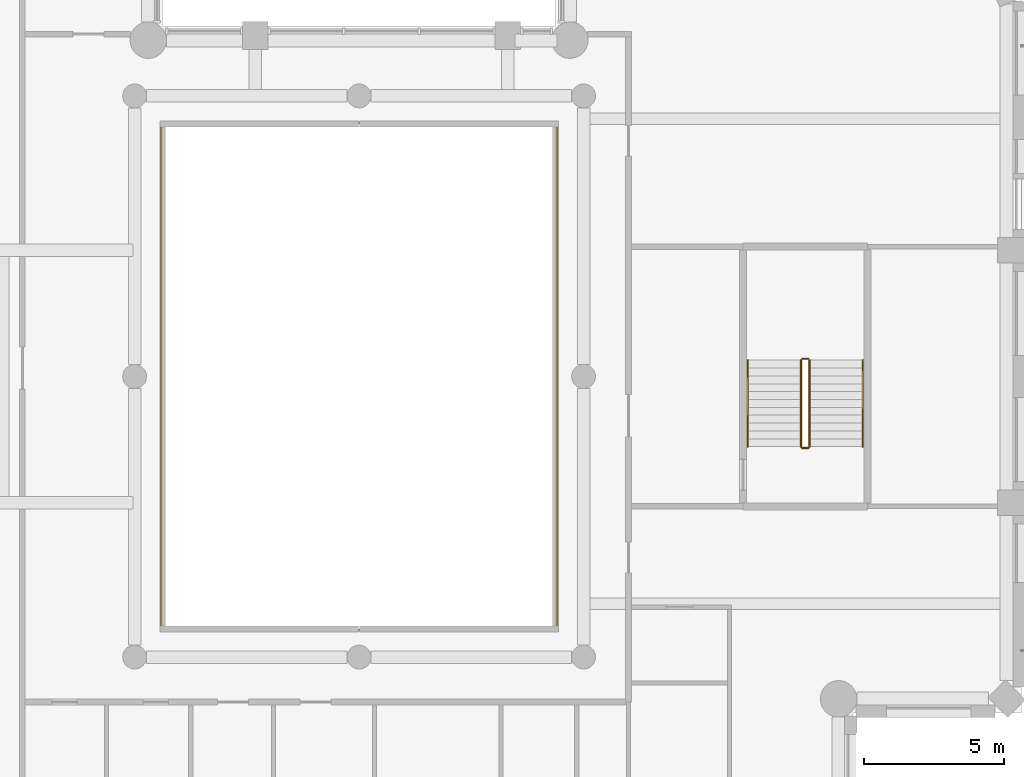
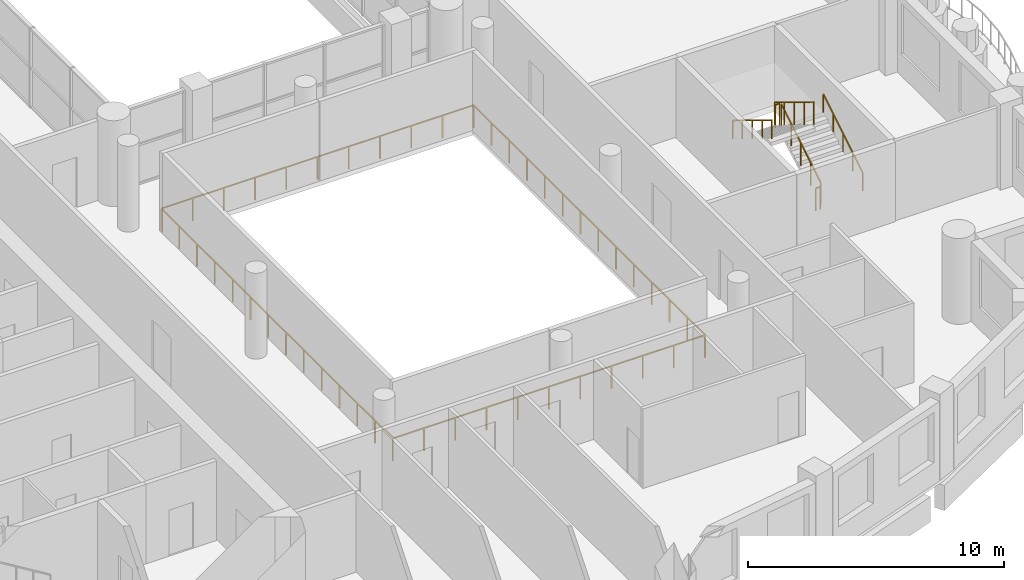
# One storey, part 11 of 14: 7 railings.
"""IFC4 building model written with IfcOpenShell, lengths in metres."""

from ifc_helpers import new_model, si_unit, direction, frame, origin, origin_2d, place, context, subcontext, project, spatial, rectangle, extrude, material, type_object, element, save


model = new_model("IFC4")

# Units and contexts
model_context = context("Model", 3, precision=1e-05, world=origin(), true_north=direction((0.0, 1.0)))
body_context = subcontext(model_context, "Body", "Model", "MODEL_VIEW")
ifc_project = project(units=[si_unit("LENGTHUNIT", "METRE"), si_unit("AREAUNIT", "SQUARE_METRE"), si_unit("VOLUMEUNIT", "CUBIC_METRE"), si_unit("PLANEANGLEUNIT", "RADIAN"), si_unit("MASSUNIT", "GRAM", prefix="KILO")], contexts=[model_context])

# Site, building, storey
site_placement = place(None, origin())
site = spatial("IfcSite", under=ifc_project, at=site_placement, CompositionType="ELEMENT")
building_placement = place(site_placement, origin())
building = spatial("IfcBuilding", under=site, at=building_placement, Name="Cypress Arch Tower", CompositionType="ELEMENT")
storey_placement = place(building_placement, frame((0.0, 0.0, 251.60009765625)))
storey = spatial("IfcBuildingStorey", under=building, at=storey_placement, Name="L56", CompositionType="ELEMENT", Elevation=251.60009765625)

# Railings
ifc_material_1 = material(Name="Stainless steel posts and handrail, laminated glass infill", Category="steel")
railing_type_1 = type_object("IfcRailingType", Name="Atrium guard GR1100A", PredefinedType="GUARDRAIL", material=ifc_material_1)
railing_1_placement = place(storey_placement, frame((8.050048828125, -9.050048828125, 0.0)))
element("IfcRailing", 1, at=railing_1_placement, inside=storey, type_object=railing_type_1, Name="Atrium guard L56", PredefinedType="GUARDRAIL", context=body_context, shape_type="SweptSolid", body=[
    extrude(rectangle(XDim=0.050048828125, YDim=0.050048828125, at=origin_2d()), frame((0.0, 0.0, 1.0751953125), z_axis=(-1.0, 0.0, 0.0), x_axis=(0.0, -1.0, 0.0)), (0.0, 0.0, 1.0), 14.10009765625),
    extrude(rectangle(XDim=0.050048828125, YDim=0.050048828125, at=origin_2d()), frame((-14.10009765625, 0.0, 1.0751953125), z_axis=(0.0, 1.0, 0.0), x_axis=(-1.0, 0.0, 0.0)), (0.0, 0.0, 1.0), 18.10009765625),
    extrude(rectangle(XDim=0.050048828125, YDim=0.050048828125, at=origin_2d()), frame((-14.10009765625, 18.10009765625, 1.0751953125), z_axis=(1.0, 0.0, 0.0), x_axis=(0.0, 1.0, 0.0)), (0.0, 0.0, 1.0), 14.10009765625),
    extrude(rectangle(XDim=0.050048828125, YDim=0.050048828125, at=origin_2d()), frame((0.0, 18.10009765625, 1.0751953125), z_axis=(0.0, -1.0, 0.0), x_axis=(1.0, 0.0, 0.0)), (0.0, 0.0, 1.0), 18.10009765625),
    extrude(rectangle(XDim=0.050048828125, YDim=0.050048828125, at=origin_2d()), origin(), (0.0, 0.0, 1.0), 1.050048828125),
    extrude(rectangle(XDim=0.050048828125, YDim=0.050048828125, at=origin_2d()), frame((-1.409912109375, 0.0, 0.0)), (0.0, 0.0, 1.0), 1.050048828125),
    extrude(rectangle(XDim=0.050048828125, YDim=0.050048828125, at=origin_2d()), frame((-2.820068359375, 0.0, 0.0)), (0.0, 0.0, 1.0), 1.050048828125),
    extrude(rectangle(XDim=0.050048828125, YDim=0.050048828125, at=origin_2d()), frame((-4.22998046875, 0.0, 0.0)), (0.0, 0.0, 1.0), 1.050048828125),
    extrude(rectangle(XDim=0.050048828125, YDim=0.050048828125, at=origin_2d()), frame((-5.64013671875, 0.0, 0.0)), (0.0, 0.0, 1.0), 1.050048828125),
    extrude(rectangle(XDim=0.050048828125, YDim=0.050048828125, at=origin_2d()), frame((-7.050048828125, 0.0, 0.0)), (0.0, 0.0, 1.0), 1.050048828125),
    extrude(rectangle(XDim=0.050048828125, YDim=0.050048828125, at=origin_2d()), frame((-8.4599609375, 0.0, 0.0)), (0.0, 0.0, 1.0), 1.050048828125),
    extrude(rectangle(XDim=0.050048828125, YDim=0.050048828125, at=origin_2d()), frame((-9.8701171875, 0.0, 0.0)), (0.0, 0.0, 1.0), 1.050048828125),
    extrude(rectangle(XDim=0.050048828125, YDim=0.050048828125, at=origin_2d()), frame((-11.280029296875, 0.0, 0.0)), (0.0, 0.0, 1.0), 1.050048828125),
    extrude(rectangle(XDim=0.050048828125, YDim=0.050048828125, at=origin_2d()), frame((-12.690185546875, 0.0, 0.0)), (0.0, 0.0, 1.0), 1.050048828125),
    extrude(rectangle(XDim=0.050048828125, YDim=0.050048828125, at=origin_2d()), frame((-14.10009765625, 0.0, 0.0)), (0.0, 0.0, 1.0), 1.050048828125),
    extrude(rectangle(XDim=0.050048828125, YDim=0.050048828125, at=origin_2d()), frame((-14.10009765625, 1.392333984375, 0.0)), (0.0, 0.0, 1.0), 1.050048828125),
    extrude(rectangle(XDim=0.050048828125, YDim=0.050048828125, at=origin_2d()), frame((-14.10009765625, 2.78466796875, 0.0)), (0.0, 0.0, 1.0), 1.050048828125),
    extrude(rectangle(XDim=0.050048828125, YDim=0.050048828125, at=origin_2d()), frame((-14.10009765625, 4.177001953125, 0.0)), (0.0, 0.0, 1.0), 1.050048828125),
    extrude(rectangle(XDim=0.050048828125, YDim=0.050048828125, at=origin_2d()), frame((-14.10009765625, 5.5693359375, 0.0)), (0.0, 0.0, 1.0), 1.050048828125),
    extrude(rectangle(XDim=0.050048828125, YDim=0.050048828125, at=origin_2d()), frame((-14.10009765625, 6.961669921875, 0.0)), (0.0, 0.0, 1.0), 1.050048828125),
    extrude(rectangle(XDim=0.050048828125, YDim=0.050048828125, at=origin_2d()), frame((-14.10009765625, 8.35400390625, 0.0)), (0.0, 0.0, 1.0), 1.050048828125),
    extrude(rectangle(XDim=0.050048828125, YDim=0.050048828125, at=origin_2d()), frame((-14.10009765625, 9.74609375, 0.0)), (0.0, 0.0, 1.0), 1.050048828125),
    extrude(rectangle(XDim=0.050048828125, YDim=0.050048828125, at=origin_2d()), frame((-14.10009765625, 11.138427734375, 0.0)), (0.0, 0.0, 1.0), 1.050048828125),
    extrude(rectangle(XDim=0.050048828125, YDim=0.050048828125, at=origin_2d()), frame((-14.10009765625, 12.53076171875, 0.0)), (0.0, 0.0, 1.0), 1.050048828125),
    extrude(rectangle(XDim=0.050048828125, YDim=0.050048828125, at=origin_2d()), frame((-14.10009765625, 13.923095703125, 0.0)), (0.0, 0.0, 1.0), 1.050048828125),
    extrude(rectangle(XDim=0.050048828125, YDim=0.050048828125, at=origin_2d()), frame((-14.10009765625, 15.3154296875, 0.0)), (0.0, 0.0, 1.0), 1.050048828125),
    extrude(rectangle(XDim=0.050048828125, YDim=0.050048828125, at=origin_2d()), frame((-14.10009765625, 16.707763671875, 0.0)), (0.0, 0.0, 1.0), 1.050048828125),
    extrude(rectangle(XDim=0.050048828125, YDim=0.050048828125, at=origin_2d()), frame((-14.10009765625, 18.10009765625, 0.0)), (0.0, 0.0, 1.0), 1.050048828125),
    extrude(rectangle(XDim=0.050048828125, YDim=0.050048828125, at=origin_2d()), frame((-12.690185546875, 18.10009765625, 0.0)), (0.0, 0.0, 1.0), 1.050048828125),
    extrude(rectangle(XDim=0.050048828125, YDim=0.050048828125, at=origin_2d()), frame((-11.280029296875, 18.10009765625, 0.0)), (0.0, 0.0, 1.0), 1.050048828125),
    extrude(rectangle(XDim=0.050048828125, YDim=0.050048828125, at=origin_2d()), frame((-9.8701171875, 18.10009765625, 0.0)), (0.0, 0.0, 1.0), 1.050048828125),
    extrude(rectangle(XDim=0.050048828125, YDim=0.050048828125, at=origin_2d()), frame((-8.4599609375, 18.10009765625, 0.0)), (0.0, 0.0, 1.0), 1.050048828125),
    extrude(rectangle(XDim=0.050048828125, YDim=0.050048828125, at=origin_2d()), frame((-7.050048828125, 18.10009765625, 0.0)), (0.0, 0.0, 1.0), 1.050048828125),
    extrude(rectangle(XDim=0.050048828125, YDim=0.050048828125, at=origin_2d()), frame((-5.64013671875, 18.10009765625, 0.0)), (0.0, 0.0, 1.0), 1.050048828125),
    extrude(rectangle(XDim=0.050048828125, YDim=0.050048828125, at=origin_2d()), frame((-4.22998046875, 18.10009765625, 0.0)), (0.0, 0.0, 1.0), 1.050048828125),
    extrude(rectangle(XDim=0.050048828125, YDim=0.050048828125, at=origin_2d()), frame((-2.820068359375, 18.10009765625, 0.0)), (0.0, 0.0, 1.0), 1.050048828125),
    extrude(rectangle(XDim=0.050048828125, YDim=0.050048828125, at=origin_2d()), frame((-1.409912109375, 18.10009765625, 0.0)), (0.0, 0.0, 1.0), 1.050048828125),
    extrude(rectangle(XDim=0.050048828125, YDim=0.050048828125, at=origin_2d()), frame((0.0, 18.10009765625, 0.0)), (0.0, 0.0, 1.0), 1.050048828125),
    extrude(rectangle(XDim=0.050048828125, YDim=0.050048828125, at=origin_2d()), frame((0.0, 16.707763671875, 0.0)), (0.0, 0.0, 1.0), 1.050048828125),
    extrude(rectangle(XDim=0.050048828125, YDim=0.050048828125, at=origin_2d()), frame((0.0, 15.3154296875, 0.0)), (0.0, 0.0, 1.0), 1.050048828125),
    extrude(rectangle(XDim=0.050048828125, YDim=0.050048828125, at=origin_2d()), frame((0.0, 13.923095703125, 0.0)), (0.0, 0.0, 1.0), 1.050048828125),
    extrude(rectangle(XDim=0.050048828125, YDim=0.050048828125, at=origin_2d()), frame((0.0, 12.53076171875, 0.0)), (0.0, 0.0, 1.0), 1.050048828125),
    extrude(rectangle(XDim=0.050048828125, YDim=0.050048828125, at=origin_2d()), frame((0.0, 11.138427734375, 0.0)), (0.0, 0.0, 1.0), 1.050048828125),
    extrude(rectangle(XDim=0.050048828125, YDim=0.050048828125, at=origin_2d()), frame((0.0, 9.74609375, 0.0)), (0.0, 0.0, 1.0), 1.050048828125),
    extrude(rectangle(XDim=0.050048828125, YDim=0.050048828125, at=origin_2d()), frame((0.0, 8.35400390625, 0.0)), (0.0, 0.0, 1.0), 1.050048828125),
    extrude(rectangle(XDim=0.050048828125, YDim=0.050048828125, at=origin_2d()), frame((0.0, 6.961669921875, 0.0)), (0.0, 0.0, 1.0), 1.050048828125),
    extrude(rectangle(XDim=0.050048828125, YDim=0.050048828125, at=origin_2d()), frame((0.0, 5.5693359375, 0.0)), (0.0, 0.0, 1.0), 1.050048828125),
    extrude(rectangle(XDim=0.050048828125, YDim=0.050048828125, at=origin_2d()), frame((0.0, 4.177001953125, 0.0)), (0.0, 0.0, 1.0), 1.050048828125),
    extrude(rectangle(XDim=0.050048828125, YDim=0.050048828125, at=origin_2d()), frame((0.0, 2.78466796875, 0.0)), (0.0, 0.0, 1.0), 1.050048828125),
    extrude(rectangle(XDim=0.050048828125, YDim=0.050048828125, at=origin_2d()), frame((0.0, 1.392333984375, 0.0)), (0.0, 0.0, 1.0), 1.050048828125),
])
ifc_material_2 = material(Name="Black powder-coated steel square bar 48 mm", Category="steel")
railing_type_2 = type_object("IfcRailingType", Name="Stair handrail HR1", PredefinedType="HANDRAIL", material=ifc_material_2)
railing_2_placement = place(storey_placement, frame((18.949951171875, -2.5, 0.170654296875)))
element("IfcRailing", 2, at=railing_2_placement, inside=storey, type_object=railing_type_2, Name="L56 C stair handrail 1", PredefinedType="HANDRAIL", context=body_context, shape_type="SweptSolid", body=[
    extrude(rectangle(XDim=0.048095703125, YDim=0.048095703125, at=origin_2d()), frame((0.0, 0.0, 0.8759765625), z_axis=(0.0, 0.853666305674, 0.52082035152), x_axis=(-1.0, 0.0, 0.0)), (0.0, 0.0, 1.0), 3.608154296875),
    extrude(rectangle(XDim=0.0419921875, YDim=0.0419921875, at=origin_2d()), origin(), (0.0, 0.0, 1.0), 0.851806640625),
    extrude(rectangle(XDim=0.0419921875, YDim=0.0419921875, at=origin_2d()), frame((0.0, 0.77001953125, 0.4697265625)), (0.0, 0.0, 1.0), 0.851806640625),
    extrude(rectangle(XDim=0.0419921875, YDim=0.0419921875, at=origin_2d()), frame((0.0, 1.5400390625, 0.939453125)), (0.0, 0.0, 1.0), 0.851806640625),
    extrude(rectangle(XDim=0.0419921875, YDim=0.0419921875, at=origin_2d()), frame((0.0, 2.31005859375, 1.409423828125)), (0.0, 0.0, 1.0), 0.851806640625),
    extrude(rectangle(XDim=0.0419921875, YDim=0.0419921875, at=origin_2d()), frame((0.0, 3.080078125, 1.879150390625)), (0.0, 0.0, 1.0), 0.851806640625),
])
railing_3_placement = place(storey_placement, frame((14.85009765625, 0.580078125, 2.220703125)))
element("IfcRailing", 3, at=railing_3_placement, inside=storey, type_object=railing_type_2, Name="L56 C stair handrail 2", PredefinedType="HANDRAIL", context=body_context, shape_type="SweptSolid", body=[
    extrude(rectangle(XDim=0.048095703125, YDim=0.048095703125, at=origin_2d()), frame((0.0, 0.0, 0.8759765625), z_axis=(0.0, -0.853666305674, 0.52082035152), x_axis=(1.0, 0.0, 0.0)), (0.0, 0.0, 1.0), 3.608154296875),
    extrude(rectangle(XDim=0.0419921875, YDim=0.0419921875, at=origin_2d()), origin(), (0.0, 0.0, 1.0), 0.851806640625),
    extrude(rectangle(XDim=0.0419921875, YDim=0.0419921875, at=origin_2d()), frame((0.0, -0.77001953125, 0.4697265625)), (0.0, 0.0, 1.0), 0.851806640625),
    extrude(rectangle(XDim=0.0419921875, YDim=0.0419921875, at=origin_2d()), frame((0.0, -1.5400390625, 0.939453125)), (0.0, 0.0, 1.0), 0.851806640625),
    extrude(rectangle(XDim=0.0419921875, YDim=0.0419921875, at=origin_2d()), frame((0.0, -2.31005859375, 1.409423828125)), (0.0, 0.0, 1.0), 0.851806640625),
    extrude(rectangle(XDim=0.0419921875, YDim=0.0419921875, at=origin_2d()), frame((0.0, -3.080078125, 1.879150390625)), (0.0, 0.0, 1.0), 0.851806640625),
])
ifc_material_3 = material(Name="Black powder-coated steel balusters", Category="steel")
railing_type_3 = type_object("IfcRailingType", Name="Stair well guard G1", PredefinedType="GUARDRAIL", material=ifc_material_3)
railing_4_placement = place(storey_placement, frame((17.050048828125, -2.5, 0.170654296875)))
element("IfcRailing", 4, at=railing_4_placement, inside=storey, type_object=railing_type_3, Name="L56 C stair guard 1", PredefinedType="GUARDRAIL", context=body_context, shape_type="SweptSolid", body=[
    extrude(rectangle(XDim=0.048095703125, YDim=0.048095703125, at=origin_2d()), frame((0.0, 0.0, 1.076171875), z_axis=(0.0, 0.853666305674, 0.52082035152), x_axis=(-1.0, 0.0, 0.0)), (0.0, 0.0, 1.0), 3.608154296875),
    extrude(rectangle(XDim=0.0419921875, YDim=0.0419921875, at=origin_2d()), origin(), (0.0, 0.0, 1.0), 1.052001953125),
    extrude(rectangle(XDim=0.0419921875, YDim=0.0419921875, at=origin_2d()), frame((0.0, 0.77001953125, 0.4697265625)), (0.0, 0.0, 1.0), 1.052001953125),
    extrude(rectangle(XDim=0.0419921875, YDim=0.0419921875, at=origin_2d()), frame((0.0, 1.5400390625, 0.939453125)), (0.0, 0.0, 1.0), 1.052001953125),
    extrude(rectangle(XDim=0.0419921875, YDim=0.0419921875, at=origin_2d()), frame((0.0, 2.31005859375, 1.409423828125)), (0.0, 0.0, 1.0), 1.052001953125),
    extrude(rectangle(XDim=0.0419921875, YDim=0.0419921875, at=origin_2d()), frame((0.0, 3.080078125, 1.879150390625)), (0.0, 0.0, 1.0), 1.052001953125),
])
railing_5_placement = place(storey_placement, frame((17.0, 0.6298828125, 2.0498046875)))
element("IfcRailing", 5, at=railing_5_placement, inside=storey, type_object=railing_type_3, Name="L56 C stair guard 2", PredefinedType="GUARDRAIL", context=body_context, shape_type="SweptSolid", body=[
    extrude(rectangle(XDim=0.048095703125, YDim=0.048095703125, at=origin_2d()), frame((0.0, 0.0, 1.076171875), z_axis=(-1.0, 0.0, 0.0), x_axis=(0.0, -1.0, 0.0)), (0.0, 0.0, 1.0), 0.199951171875),
    extrude(rectangle(XDim=0.0419921875, YDim=0.0419921875, at=origin_2d()), origin(), (0.0, 0.0, 1.0), 1.052001953125),
    extrude(rectangle(XDim=0.0419921875, YDim=0.0419921875, at=origin_2d()), frame((-0.199951171875, 0.0, 0.0)), (0.0, 0.0, 1.0), 1.052001953125),
])
railing_6_placement = place(storey_placement, frame((16.75, 0.580078125, 2.220703125)))
element("IfcRailing", 6, at=railing_6_placement, inside=storey, type_object=railing_type_3, Name="L56 C stair guard 3", PredefinedType="GUARDRAIL", context=body_context, shape_type="SweptSolid", body=[
    extrude(rectangle(XDim=0.048095703125, YDim=0.048095703125, at=origin_2d()), frame((0.0, 0.0, 1.076171875), z_axis=(0.0, -0.853666305674, 0.52082035152), x_axis=(1.0, 0.0, 0.0)), (0.0, 0.0, 1.0), 3.608154296875),
    extrude(rectangle(XDim=0.0419921875, YDim=0.0419921875, at=origin_2d()), origin(), (0.0, 0.0, 1.0), 1.052001953125),
    extrude(rectangle(XDim=0.0419921875, YDim=0.0419921875, at=origin_2d()), frame((0.0, -0.77001953125, 0.4697265625)), (0.0, 0.0, 1.0), 1.052001953125),
    extrude(rectangle(XDim=0.0419921875, YDim=0.0419921875, at=origin_2d()), frame((0.0, -1.5400390625, 0.939453125)), (0.0, 0.0, 1.0), 1.052001953125),
    extrude(rectangle(XDim=0.0419921875, YDim=0.0419921875, at=origin_2d()), frame((0.0, -2.31005859375, 1.409423828125)), (0.0, 0.0, 1.0), 1.052001953125),
    extrude(rectangle(XDim=0.0419921875, YDim=0.0419921875, at=origin_2d()), frame((0.0, -3.080078125, 1.879150390625)), (0.0, 0.0, 1.0), 1.052001953125),
])
railing_7_placement = place(storey_placement, frame((17.0, -2.550048828125, 0.0)))
element("IfcRailing", 7, at=railing_7_placement, inside=storey, type_object=railing_type_3, Name="L56 C stair guard 4", PredefinedType="GUARDRAIL", context=body_context, shape_type="SweptSolid", body=[
    extrude(rectangle(XDim=0.048095703125, YDim=0.048095703125, at=origin_2d()), frame((0.0, 0.0, 1.076171875), z_axis=(-1.0, 0.0, 0.0), x_axis=(0.0, -1.0, 0.0)), (0.0, 0.0, 1.0), 0.199951171875),
    extrude(rectangle(XDim=0.0419921875, YDim=0.0419921875, at=origin_2d()), origin(), (0.0, 0.0, 1.0), 1.052001953125),
    extrude(rectangle(XDim=0.0419921875, YDim=0.0419921875, at=origin_2d()), frame((-0.199951171875, 0.0, 0.0)), (0.0, 0.0, 1.0), 1.052001953125),
])

save(model, "model.ifc")
